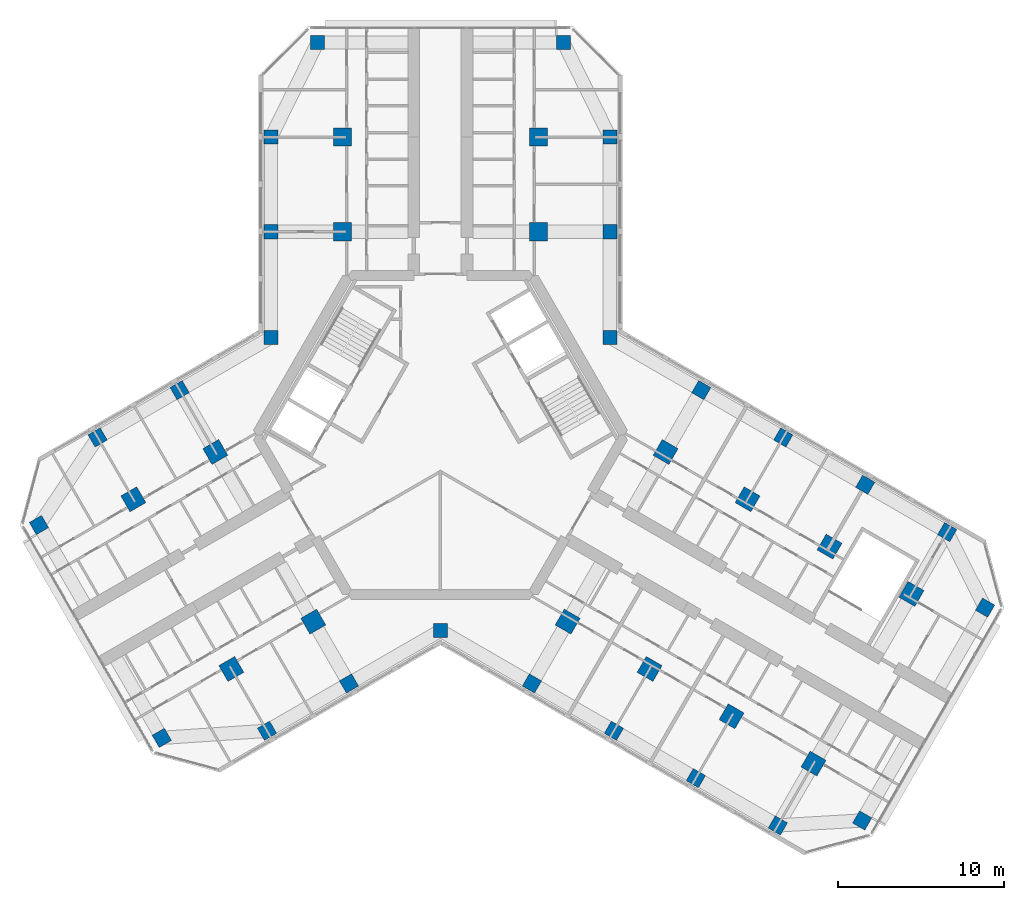
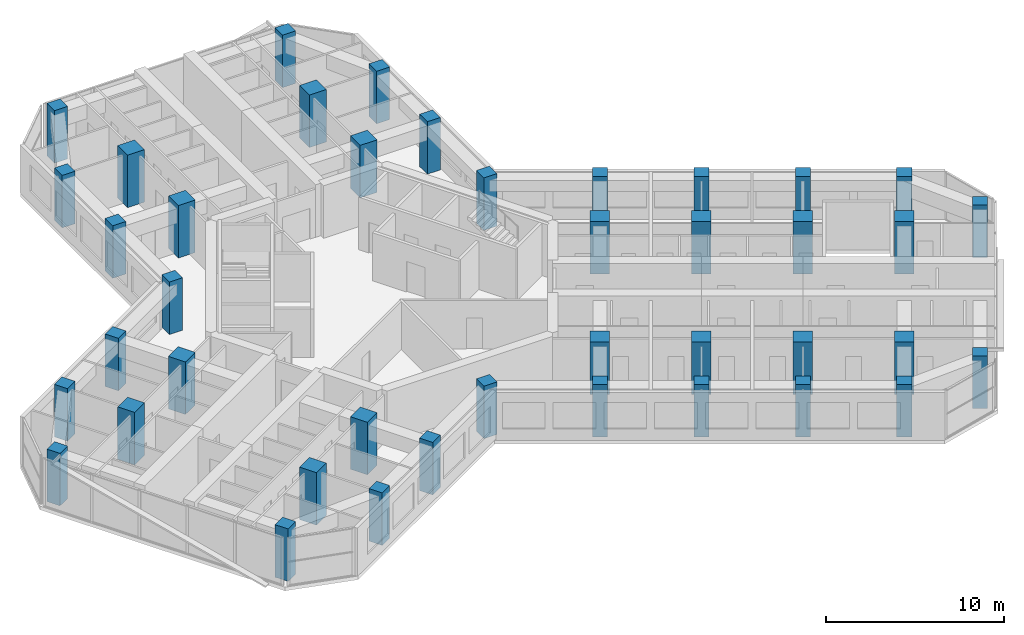
# One storey, part 1 of 16: 41 columns.
"""IFC4 building model written with IfcOpenShell, lengths in metres."""

from ifc_helpers import new_model, si_unit, direction, frame, origin, origin_2d, place, context, subcontext, project, spatial, rectangle, extrude, material, material_profile, profile_set, type_object, element, save


model = new_model("IFC4")

# Units and contexts
model_context = context("Model", 3, precision=1e-05, world=origin(), true_north=direction((0.0, 1.0)))
body_context = subcontext(model_context, "Body", "Model", "MODEL_VIEW")
ifc_project = project(units=[si_unit("LENGTHUNIT", "METRE"), si_unit("AREAUNIT", "SQUARE_METRE"), si_unit("VOLUMEUNIT", "CUBIC_METRE"), si_unit("PLANEANGLEUNIT", "RADIAN"), si_unit("MASSUNIT", "GRAM", prefix="KILO")], contexts=[model_context])

# Site, building, storey
site_placement = place(None, origin())
site = spatial("IfcSite", under=ifc_project, at=site_placement, CompositionType="ELEMENT")
building_placement = place(site_placement, origin())
building = spatial("IfcBuilding", under=site, at=building_placement, Name="Kosmar Iwan School Tower", CompositionType="ELEMENT")
storey_placement = place(building_placement, frame((0.0, 0.0, 256.800048828125)))
storey = spatial("IfcBuildingStorey", under=building, at=storey_placement, Name="L65", CompositionType="ELEMENT", Elevation=256.800048828125)

# Columns
ifc_material_1 = material(Name="Concrete C50/60", Category="concrete")
ifc_material_profile_1 = material_profile(ifc_material_1, rectangle(XDim=0.85009765625, YDim=0.85009765625, at=origin_2d()), Name="RC 850x850 + HD 400x347")
ifc_profile_set_1 = profile_set([ifc_material_profile_1], Name="Concrete C50/60")
column_type_1 = type_object("IfcColumnType", Name="Composite column 850x850 HD 400x347", PredefinedType="COLUMN", material=ifc_profile_set_1)
for number, where, z_axis, x_axis, name in (
    (1, (-10.199951171875, 12.25, 0.0), (0.0, 0.0, 1.0), (0.0, 1.0, 0.0), "Column AL1 L65"),
    (2, (-10.199951171875, 17.949951171875, 0.0), (0.0, 0.0, 1.0), (0.0, 1.0, 0.0), "Column AL2 L65"),
    (3, (-7.39990234375, 23.64990234375, 0.0), (0.0, 0.0, 1.0), (0.0, 1.0, 0.0), "Column ALTIP L65"),
    (4, (10.199951171875, 12.25, 0.0), (0.0, 0.0, 1.0), (0.0, 1.0, 0.0), "Column AR1 L65"),
    (5, (10.199951171875, 17.949951171875, 0.0), (0.0, 0.0, 1.0), (0.0, 1.0, 0.0), "Column AR2 L65"),
    (6, (7.39990234375, 23.64990234375, 0.0), (0.0, 0.0, 1.0), (0.0, 1.0, 0.0), "Column ARTIP L65"),
    (7, (-5.5087890625, -14.95849609375, 0.0), (0.0, 0.0, 1.0), (-0.866025403784, -0.5, 0.0), "Column BL1 L65"),
    (8, (-10.445068359375, -17.808349609375, 0.0), (0.0, 0.0, 1.0), (-0.866025403784, -0.5, 0.0), "Column BL2 L65"),
    (9, (-16.781494140625, -18.233642578125, 0.0), (0.0, 0.0, 1.0), (-0.866025403784, -0.5, 0.0), "Column BLTIP L65"),
    (10, (-15.708740234375, 2.70849609375, 0.0), (0.0, 0.0, 1.0), (-0.866025403784, -0.5, 0.0), "Column BR1 L65"),
    (11, (-20.645263671875, -0.1416015625, 0.0), (0.0, 0.0, 1.0), (-0.866025403784, -0.5, 0.0), "Column BR2 L65"),
    (12, (-24.181396484375, -5.41650390625, 0.0), (0.0, 0.0, 1.0), (-0.866025403784, -0.5, 0.0), "Column BRTIP L65"),
    (13, (15.708740234375, 2.70849609375, 0.0), (0.0, 0.0, 1.0), (0.866025403784, -0.5, 0.0), "Column CL1 L65"),
    (14, (20.645263671875, -0.1416015625, 0.0), (0.0, 0.0, 1.0), (0.866025403784, -0.5, 0.0), "Column CL2 L65"),
    (15, (25.58154296875, -2.991455078125, 0.0), (0.0, 0.0, 1.0), (0.866025403784, -0.5, 0.0), "Column CL3 L65"),
    (16, (30.517822265625, -5.841552734375, 0.0), (0.0, 0.0, 1.0), (0.866025403784, -0.5, 0.0), "Column CL4 L65"),
    (17, (32.79833984375, -10.391357421875, 0.0), (0.0, 0.0, 1.0), (0.866025403784, -0.5, 0.0), "Column CLTIP L65"),
    (18, (5.5087890625, -14.95849609375, 0.0), (0.0, 0.0, 1.0), (0.866025403784, -0.5, 0.0), "Column CR1 L65"),
    (19, (10.445068359375, -17.808349609375, 0.0), (0.0, 0.0, 1.0), (0.866025403784, -0.5, 0.0), "Column CR2 L65"),
    (20, (15.381591796875, -20.658447265625, 0.0), (0.0, 0.0, 1.0), (0.866025403784, -0.5, 0.0), "Column CR3 L65"),
    (21, (20.31787109375, -23.508544921875, 0.0), (0.0, 0.0, 1.0), (0.866025403784, -0.5, 0.0), "Column CR4 L65"),
    (22, (25.3984375, -23.20849609375, 0.0), (0.0, 0.0, 1.0), (0.866025403784, -0.5, 0.0), "Column CRTIP L65"),
    (23, (-10.199951171875, 5.888916015625, 0.0), (0.0, 0.0, 1.0), (1.0, 0.0, 0.0), "Column RAB L65"),
    (24, (10.199951171875, 5.888916015625, 0.0), (0.0, 0.0, 1.0), (1.0, 0.0, 0.0), "Column RAC L65"),
    (25, (0.0, -11.77783203125, 0.0), (0.0, 0.0, 1.0), (1.0, 0.0, 0.0), "Column RBC L65"),
):
    element("IfcColumn", number, at=place(storey_placement, frame(where, z_axis=z_axis, x_axis=x_axis)), inside=storey, type_object=column_type_1, Name=name, PredefinedType="COLUMN", context=body_context, shape_type="SweptSolid", body=[
        extrude(rectangle(XDim=0.85009765625, YDim=0.85009765625, at=origin_2d()), origin(), (0.0, 0.0, 1.0), 3.599853515625),
    ])
ifc_material_2 = material(Name="Concrete C50/60", Category="concrete")
ifc_material_profile_2 = material_profile(ifc_material_2, rectangle(XDim=1.10009765625, YDim=1.10009765625, at=origin_2d()), Name="RC 1100x1100")
ifc_profile_set_2 = profile_set([ifc_material_profile_2], Name="Concrete C50/60")
column_type_2 = type_object("IfcColumnType", Name="RC interior column 1100x1100", PredefinedType="COLUMN", material=ifc_profile_set_2)
for number, where, z_axis, x_axis, name in (
    (26, (-5.89990234375, 12.25, 0.0), (0.0, 0.0, 1.0), (0.0, 1.0, 0.0), "Interior column ALI1 L65"),
    (27, (-5.89990234375, 17.949951171875, 0.0), (0.0, 0.0, 1.0), (0.0, 1.0, 0.0), "Interior column ALI2 L65"),
    (28, (5.89990234375, 12.25, 0.0), (0.0, 0.0, 1.0), (0.0, 1.0, 0.0), "Interior column ARI1 L65"),
    (29, (5.89990234375, 17.949951171875, 0.0), (0.0, 0.0, 1.0), (0.0, 1.0, 0.0), "Interior column ARI2 L65"),
    (30, (-7.65869140625, -11.234619140625, 0.0), (0.0, 0.0, 1.0), (-0.866025403784, -0.5, 0.0), "Interior column BLI1 L65"),
    (31, (-12.59521484375, -14.08447265625, 0.0), (0.0, 0.0, 1.0), (-0.866025403784, -0.5, 0.0), "Interior column BLI2 L65"),
    (32, (-13.558837890625, -1.015380859375, 0.0), (0.0, 0.0, 1.0), (-0.866025403784, -0.5, 0.0), "Interior column BRI1 L65"),
    (33, (-18.4951171875, -3.865478515625, 0.0), (0.0, 0.0, 1.0), (-0.866025403784, -0.5, 0.0), "Interior column BRI2 L65"),
    (34, (13.558837890625, -1.015380859375, 0.0), (0.0, 0.0, 1.0), (0.866025403784, -0.5, 0.0), "Interior column CLI1 L65"),
    (35, (18.4951171875, -3.865478515625, 0.0), (0.0, 0.0, 1.0), (0.866025403784, -0.5, 0.0), "Interior column CLI2 L65"),
    (36, (23.431396484375, -6.71533203125, 0.0), (0.0, 0.0, 1.0), (0.866025403784, -0.5, 0.0), "Interior column CLI3 L65"),
    (37, (28.367919921875, -9.5654296875, 0.0), (0.0, 0.0, 1.0), (0.866025403784, -0.5, 0.0), "Interior column CLI4 L65"),
    (38, (7.65869140625, -11.234619140625, 0.0), (0.0, 0.0, 1.0), (0.866025403784, -0.5, 0.0), "Interior column CRI1 L65"),
    (39, (12.59521484375, -14.08447265625, 0.0), (0.0, 0.0, 1.0), (0.866025403784, -0.5, 0.0), "Interior column CRI2 L65"),
    (40, (17.531494140625, -16.9345703125, 0.0), (0.0, 0.0, 1.0), (0.866025403784, -0.5, 0.0), "Interior column CRI3 L65"),
    (41, (22.4677734375, -19.78466796875, 0.0), (0.0, 0.0, 1.0), (0.866025403784, -0.5, 0.0), "Interior column CRI4 L65"),
):
    element("IfcColumn", number, at=place(storey_placement, frame(where, z_axis=z_axis, x_axis=x_axis)), inside=storey, type_object=column_type_2, Name=name, PredefinedType="COLUMN", context=body_context, shape_type="SweptSolid", body=[
        extrude(rectangle(XDim=1.10009765625, YDim=1.10009765625, at=origin_2d()), origin(), (0.0, 0.0, 1.0), 3.599853515625),
    ])

save(model, "model.ifc")
